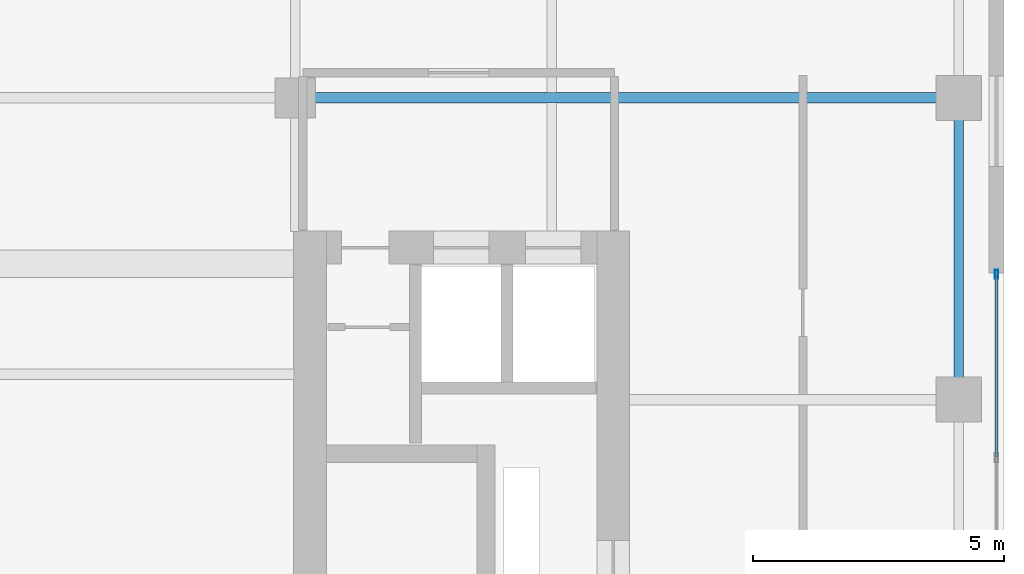
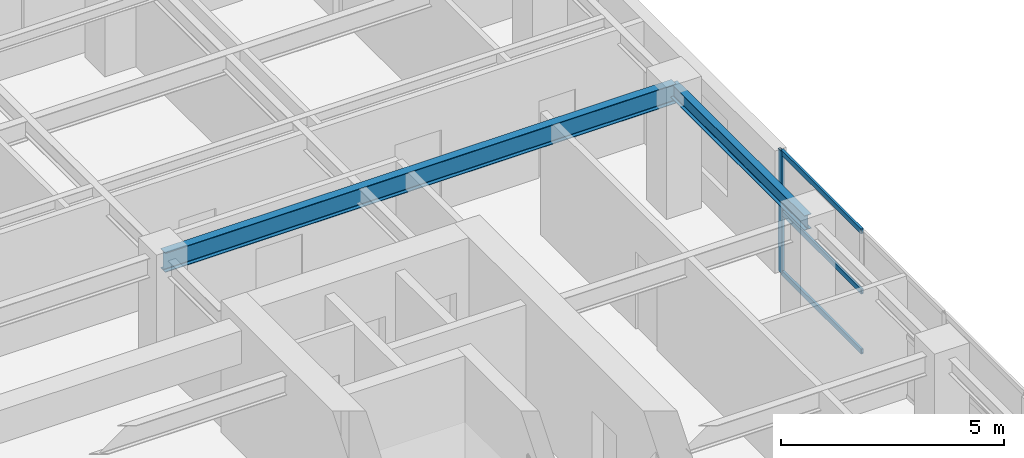
# One storey, part 7 of 14: 4 members, 2 beams, 1 element without a shape of its own.
"""IFC4 building model written with IfcOpenShell, lengths in metres."""

import ifcopenshell
import ifcopenshell.guid

model = None  # the IFC model being written
_history = None  # IfcOwnerHistory: only IFC2X3 demands one
_inside = {}  # id of a spatial element -> (the spatial element, [elements in it])
_under = {}  # id of a project, library or spatial element -> (it, [spatial elements below it])
_declared = {}  # id of a project -> (the project, [libraries it declares])
_typed = {}  # id of a type object -> (the type object, [elements of that type])
_made_of = {}  # id of a material, layer set ... -> (it, [elements and type objects made of it])


def new_model(schema):
    """Start an empty IFC model of exactly this schema.

    Asked for "IFC4X3", IfcOpenShell would pick the latest addendum, in which some entities
    have other attributes; the version numbers below select the first issue.
    IFC2X3 requires an IfcOwnerHistory on every rooted entity: one is made here for all.
    """
    global model, _history
    if schema == "IFC4X3":
        model = ifcopenshell.file(schema_version=(4, 3, 0, 0))
    else:
        model = ifcopenshell.file(schema=schema)
    _inside.clear()
    _under.clear()
    _declared.clear()
    _typed.clear()
    _made_of.clear()
    _history = None
    if model.schema == "IFC2X3":
        org = make("IfcOrganization", Name="unknown")
        user = make(
            "IfcPersonAndOrganization",
            ThePerson=make("IfcPerson", FamilyName="unknown"),
            TheOrganization=org,
        )
        app = make(
            "IfcApplication",
            ApplicationDeveloper=org,
            Version="unknown",
            ApplicationFullName="unknown",
            ApplicationIdentifier="unknown",
        )
        _history = make(
            "IfcOwnerHistory",
            OwningUser=user,
            OwningApplication=app,
            ChangeAction="ADDED",
            CreationDate=0,
        )
    return model


def make(cls, **values):
    """One entity of the class cls with the attributes given. An attribute that is None is left unset."""
    return model.create_entity(
        cls, **{name: value for name, value in values.items() if value is not None}
    )


def rooted(cls, **values):
    """An entity with a GlobalId (a new one), such as an element, a storey or a relation."""
    return make(cls, GlobalId=ifcopenshell.guid.new(), OwnerHistory=_history, **values)


def si_unit(unit_type, name, prefix=None):
    """IfcSIUnit, for example si_unit("LENGTHUNIT", "METRE", prefix="MILLI")."""
    return make("IfcSIUnit", UnitType=unit_type, Prefix=prefix, Name=name)


def assignment(units):
    """IfcUnitAssignment: the units of a project."""
    return None if units is None else make("IfcUnitAssignment", Units=units)


def point(xyz):
    """IfcCartesianPoint."""
    return None if xyz is None else make("IfcCartesianPoint", Coordinates=xyz)


def direction(xyz):
    """IfcDirection."""
    return None if xyz is None else make("IfcDirection", DirectionRatios=xyz)


def frame(location, z_axis=None, x_axis=None):
    """IfcAxis2Placement3D, a coordinate frame: its origin and axes. An axis left out is left unset."""
    return make(
        "IfcAxis2Placement3D",
        Location=point(location),
        Axis=direction(z_axis),
        RefDirection=direction(x_axis),
    )


def frame_2d(location, x_axis=None):
    """IfcAxis2Placement2D, a coordinate frame in the plane: its origin and x axis."""
    return make(
        "IfcAxis2Placement2D", Location=point(location), RefDirection=direction(x_axis)
    )


def origin():
    """The frame at (0, 0, 0) with its axes left unset."""
    return frame((0.0, 0.0, 0.0))


def origin_2d():
    """The frame at (0, 0) in the plane with its x axis left unset."""
    return frame_2d((0.0, 0.0))


def place(relative_to, where):
    """IfcLocalPlacement: puts the frame where relative to a parent placement (None: the world)."""
    return make(
        "IfcLocalPlacement", PlacementRelTo=relative_to, RelativePlacement=where
    )


def context(
    kind, dimensions, precision=None, world=None, true_north=None, identifier=None
):
    """IfcGeometricRepresentationContext, for example the 3D "Model" context."""
    return make(
        "IfcGeometricRepresentationContext",
        ContextIdentifier=identifier,
        ContextType=kind,
        CoordinateSpaceDimension=dimensions,
        Precision=precision,
        WorldCoordinateSystem=world,
        TrueNorth=true_north,
    )


def subcontext(parent, identifier, kind, view, scale=None):
    """IfcGeometricRepresentationSubContext, for example "Body" below "Model"."""
    return make(
        "IfcGeometricRepresentationSubContext",
        ContextIdentifier=identifier,
        ContextType=kind,
        ParentContext=parent,
        TargetScale=scale,
        TargetView=view,
    )


def project(units=None, contexts=None):
    """IfcProject with its units and contexts."""
    return rooted(
        "IfcProject",
        Name="project",
        RepresentationContexts=contexts,
        UnitsInContext=assignment(units),
    )


def spatial(cls, under=None, at=None, **own):
    """A site, building, storey or space (cls), placed at a placement, below another one or the project."""
    s = rooted(cls, ObjectPlacement=at, **own)
    if under is not None:
        _under.setdefault(under.id(), (under, []))[1].append(s)
    return s


def profile(cls, at=None, kind="AREA", **sizes):
    """A parametric profile (cls). Its sizes go by their IFC names, for example OverallWidth=200.0."""
    return make(cls, ProfileType=kind, Position=at, **sizes)


def hollow_rectangle(**sizes):
    """IfcRectangleHollowProfileDef."""
    return profile("IfcRectangleHollowProfileDef", **sizes)


def i_section(**sizes):
    """IfcIShapeProfileDef."""
    return profile("IfcIShapeProfileDef", **sizes)


def extrude(swept, where, along, depth):
    """IfcExtrudedAreaSolid: the profile swept, set in the frame where, extruded along a direction by depth."""
    return make(
        "IfcExtrudedAreaSolid",
        SweptArea=swept,
        Position=where,
        ExtrudedDirection=direction(along),
        Depth=depth,
    )


def shape(context_of_items, identifier, shape_type, items):
    """IfcShapeRepresentation: the items that make up one representation, for example the "Body"."""
    return make(
        "IfcShapeRepresentation",
        ContextOfItems=context_of_items,
        RepresentationIdentifier=identifier,
        RepresentationType=shape_type,
        Items=items,
    )


def source(mapping_origin, context_of_items, identifier, shape_type, items):
    """IfcRepresentationMap: a shape defined once, which mapped items show again and again."""
    return make(
        "IfcRepresentationMap",
        MappingOrigin=mapping_origin,
        MappedRepresentation=shape(context_of_items, identifier, shape_type, items),
    )


def transform(
    local_origin,
    x_axis=None,
    y_axis=None,
    z_axis=None,
    scale=None,
    scale2=None,
    scale3=None,
    uniform=True,
):
    """IfcCartesianTransformationOperator3D, or its non-uniform kind. x_axis, y_axis, z_axis: its Axis1, 2, 3."""
    if uniform:
        return make(
            "IfcCartesianTransformationOperator3D",
            Axis1=direction(x_axis),
            Axis2=direction(y_axis),
            LocalOrigin=point(local_origin),
            Scale=scale,
            Axis3=direction(z_axis),
        )
    return make(
        "IfcCartesianTransformationOperator3DnonUniform",
        Axis1=direction(x_axis),
        Axis2=direction(y_axis),
        LocalOrigin=point(local_origin),
        Scale=scale,
        Axis3=direction(z_axis),
        Scale2=scale2,
        Scale3=scale3,
    )


def mapped(mapping_source, mapping_target):
    """IfcMappedItem: shows the shape of a source again, moved by a transform."""
    return make(
        "IfcMappedItem", MappingSource=mapping_source, MappingTarget=mapping_target
    )


def material(Name=None, Category=None):
    """IfcMaterial."""
    return make("IfcMaterial", Name=Name, Category=Category)


def layer(
    of_material, thickness, ventilated=None, Name=None, Category=None, Priority=None
):
    """IfcMaterialLayer: one layer of a wall or slab, of a material (None: an air gap)."""
    return make(
        "IfcMaterialLayer",
        Material=of_material,
        LayerThickness=thickness,
        IsVentilated=ventilated,
        Name=Name,
        Category=Category,
        Priority=Priority,
    )


def layer_set(layers, Name=None):
    """IfcMaterialLayerSet."""
    return make("IfcMaterialLayerSet", MaterialLayers=layers, LayerSetName=Name)


def material_profile(
    of_material, cross_section, Name=None, Category=None, Priority=None
):
    """IfcMaterialProfile: a cross section and its material."""
    return make(
        "IfcMaterialProfile",
        Name=Name,
        Material=of_material,
        Profile=cross_section,
        Priority=Priority,
        Category=Category,
    )


def profile_set(profiles, Name=None, composite=None):
    """IfcMaterialProfileSet."""
    return make(
        "IfcMaterialProfileSet",
        Name=Name,
        MaterialProfiles=profiles,
        CompositeProfile=composite,
    )


def made_of(thing, what):
    """Note that an element or type object is made of a material, layer set ...; save() writes the relation."""
    if what is not None:
        _made_of.setdefault(what.id(), (what, []))[1].append(thing)
    return thing


def type_object(cls, material=None, **own):
    """A type object (cls), such as IfcWallType, which elements share."""
    return made_of(rooted(cls, **own), material)


def element(
    cls,
    number,
    at=None,
    inside=None,
    cuts=None,
    type_object=None,
    material=None,
    context=None,
    identifier="Body",
    shape_type=None,
    held_by="IfcProductDefinitionShape",
    body=None,
    shapes=None,
    **own,
):
    """One element of the class cls, such as IfcWall. Its Tag is "e" and its number.

    at: its placement. inside: the storey or other place that contains it. cuts: it is an
    opening in that element (IfcRelVoidsElement). A single representation is given by context,
    identifier, shape_type and body (its items); several are given by shapes. held_by: the class
    of the entity that holds the representations. save() writes the other relations.
    """
    e = rooted(cls, Tag="e%d" % number, ObjectPlacement=at, **own)
    if body is not None:
        shapes = [shape(context, identifier, shape_type, body)]
    if shapes is not None:
        e.Representation = make(held_by, Representations=shapes)
    if inside is not None:
        _inside.setdefault(inside.id(), (inside, []))[1].append(e)
    if cuts is not None:
        rooted(
            "IfcRelVoidsElement", RelatingBuildingElement=cuts, RelatedOpeningElement=e
        )
    if type_object is not None:
        _typed.setdefault(type_object.id(), (type_object, []))[1].append(e)
    return made_of(e, material)


def aggregate(whole, parts):
    """IfcRelAggregates: a whole, such as a stair, and the parts it consists of."""
    return rooted("IfcRelAggregates", RelatingObject=whole, RelatedObjects=parts)


def save(model, path):
    """Write the relations noted so far, then the file.

    IfcRelAggregates (storeys below a building ...), IfcRelContainedInSpatialStructure (elements
    in a storey), IfcRelDefinesByType, IfcRelAssociatesMaterial and IfcRelDeclares: one each for
    every whole, place, type object, material and project.
    """
    for whole, parts in _under.values():
        aggregate(whole, parts)
    for where, things in _inside.values():
        rooted(
            "IfcRelContainedInSpatialStructure",
            RelatedElements=things,
            RelatingStructure=where,
        )
    for kind, things in _typed.values():
        rooted("IfcRelDefinesByType", RelatedObjects=things, RelatingType=kind)
    for what, things in _made_of.values():
        rooted("IfcRelAssociatesMaterial", RelatedObjects=things, RelatingMaterial=what)
    for by, libraries in _declared.values():
        rooted("IfcRelDeclares", RelatingContext=by, RelatedDefinitions=libraries)
    model.write(path)


model = new_model("IFC4")

# Units and contexts
model_context = context("Model", 3, precision=1e-05, world=origin(), true_north=direction((0.0, 1.0)))
body_context = subcontext(model_context, "Body", "Model", "MODEL_VIEW")
ifc_project = project(units=[si_unit("LENGTHUNIT", "METRE"), si_unit("AREAUNIT", "SQUARE_METRE"), si_unit("VOLUMEUNIT", "CUBIC_METRE"), si_unit("PLANEANGLEUNIT", "RADIAN"), si_unit("MASSUNIT", "GRAM", prefix="KILO")], contexts=[model_context])

# Site, building, storey
site_placement = place(None, origin())
site = spatial("IfcSite", under=ifc_project, at=site_placement, CompositionType="ELEMENT")
building_placement = place(site_placement, origin())
building = spatial("IfcBuilding", under=site, at=building_placement, Name="Khoralis Quay Care Tower", CompositionType="ELEMENT")
storey_placement = place(building_placement, frame((0.0, 0.0, 177.300048828125)))
storey = spatial("IfcBuildingStorey", under=building, at=storey_placement, Name="L46", CompositionType="ELEMENT", Elevation=177.300048828125)

# Beams
ifc_material_1 = material(Name="Steel S355", Category="steel")
ifc_material_profile_1 = material_profile(ifc_material_1, i_section(OverallWidth=0.179931640625, OverallDepth=0.39990234375, WebThickness=0.008544921875, FlangeThickness=0.013427734375, FilletRadius=0.02099609375, at=origin_2d()), Name="Steel S355")
ifc_profile_set_1 = profile_set([ifc_material_profile_1], Name="Steel S355")
beam_type_1 = type_object("IfcBeamType", Name="BM-IPE400", PredefinedType="SPANDREL", material=ifc_profile_set_1)
shared_shape_1 = source(origin(), body_context, "Body", "SweptSolid", [
    extrude(i_section(OverallWidth=0.179931640625, OverallDepth=0.39990234375, WebThickness=0.008544921875, FlangeThickness=0.013427734375, FilletRadius=0.02099609375, at=origin_2d()), origin(), (0.0, 0.0, 1.0), 6.0),
])
beam_1_placement = place(storey_placement, frame((44.10009765625, 24.0, 3.139892578125), z_axis=(0.0, 1.0, 0.0), x_axis=(-1.0, 0.0, 0.0)))
element("IfcBeam", 1, at=beam_1_placement, inside=storey, type_object=beam_type_1, Name="BM-TSP-L46-17", PredefinedType="SPANDREL", context=body_context, shape_type="MappedRepresentation", body=[
    mapped(shared_shape_1, transform((0.0, 0.0, 0.0), scale=1.0)),
])
ifc_material_profile_2 = material_profile(ifc_material_1, i_section(OverallWidth=0.208984375, OverallDepth=0.532958984375, WebThickness=0.01025390625, FlangeThickness=0.015625, FilletRadius=0.01611328125, at=origin_2d()), Name="Steel S355")
ifc_profile_set_2 = profile_set([ifc_material_profile_2], Name="Steel S355")
beam_type_2 = type_object("IfcBeamType", Name="BM-W530X92", PredefinedType="BEAM", material=ifc_profile_set_2)
shared_shape_2 = source(origin(), body_context, "Body", "SweptSolid", [
    extrude(i_section(OverallWidth=0.208984375, OverallDepth=0.532958984375, WebThickness=0.01025390625, FlangeThickness=0.015625, FilletRadius=0.01611328125, at=origin_2d()), origin(), (0.0, 0.0, 1.0), 13.2001953125),
])
beam_2_placement = place(storey_placement, frame((30.89990234375, 30.0, 3.073486328125), z_axis=(1.0, 0.0, 0.0), x_axis=(0.0, 1.0, 0.0)))
element("IfcBeam", 2, at=beam_2_placement, inside=storey, type_object=beam_type_2, Name="BM-TGXE-L46-300", PredefinedType="BEAM", context=body_context, shape_type="MappedRepresentation", body=[
    mapped(shared_shape_2, transform((0.0, 0.0, 0.0), scale=1.0)),
])

# Curtain wall, members
ifc_material_2 = material(Name="Pale anodised aluminium", Category="aluminium")
ifc_layer = layer(ifc_material_2, 0.159912109375)
ifc_layer_set = layer_set([ifc_layer], Name="Pale anodised aluminium")
curtain_wall_type = type_object("IfcCurtainWallType", Name="CW-SYS-Z3", PredefinedType="NOTDEFINED", material=ifc_layer_set)
curtain_wall_placement = place(storey_placement, origin())
curtain_wall = element("IfcCurtainWall", 3, at=curtain_wall_placement, inside=storey, type_object=curtain_wall_type, Name="L46 Unitised Curtain Wall CW-L46-P1-E5", PredefinedType="NOTDEFINED")
ifc_material_profile_3 = material_profile(ifc_material_2, hollow_rectangle(XDim=0.06494140625, YDim=0.179931640625, WallThickness=0.00390625, at=origin_2d()), Name="Pale anodised aluminium")
ifc_profile_set_3 = profile_set([ifc_material_profile_3], Name="Pale anodised aluminium")
member_type_1 = type_object("IfcMemberType", Name="CW-MUL-180", PredefinedType="MULLION", material=ifc_profile_set_3)
shared_shape_3 = source(origin(), body_context, "Body", "SweptSolid", [
    extrude(hollow_rectangle(XDim=0.06494140625, YDim=0.179931640625, WallThickness=0.00390625, at=origin_2d()), origin(), (0.0, 0.0, 1.0), 3.33984375),
])
member_1_placement = place(storey_placement, frame((44.85009765625, 26.489990234375, 0.0), z_axis=(0.0, 0.0, 1.0), x_axis=(-1.0, 0.0, 0.0)))
member_1 = element("IfcMember", 4, at=member_1_placement, type_object=member_type_1, Name="CW3 mullion 4", PredefinedType="MULLION", context=body_context, shape_type="MappedRepresentation", body=[
    mapped(shared_shape_3, transform((0.0, 0.0, 0.0), scale=1.0)),
])
ifc_material_profile_4 = material_profile(ifc_material_2, hollow_rectangle(XDim=0.06005859375, YDim=0.139892578125, WallThickness=0.00390625, at=origin_2d()), Name="Pale anodised aluminium")
ifc_profile_set_4 = profile_set([ifc_material_profile_4], Name="Pale anodised aluminium")
member_type_2 = type_object("IfcMemberType", Name="CW-TRN-140", PredefinedType="USERDEFINED", material=ifc_profile_set_4)
shared_shape_4 = source(origin(), body_context, "Body", "SweptSolid", [
    extrude(hollow_rectangle(XDim=0.06005859375, YDim=0.139892578125, WallThickness=0.00390625, at=origin_2d()), origin(), (0.0, 0.0, 1.0), 3.58984375),
])
member_2_placement = place(storey_placement, frame((44.85009765625, 22.8701171875, 0.030029296875), z_axis=(0.0, 1.0, 0.0), x_axis=(-1.0, 0.0, 0.0)))
member_2 = element("IfcMember", 5, at=member_2_placement, type_object=member_type_2, Name="CW3 transom 3.1", ObjectType="TRANSOM", PredefinedType="USERDEFINED", context=body_context, shape_type="MappedRepresentation", body=[
    mapped(shared_shape_4, transform((0.0, 0.0, 0.0), scale=1.0)),
])
member_3_placement = place(storey_placement, frame((44.85009765625, 22.8701171875, 1.669921875), z_axis=(0.0, 1.0, 0.0), x_axis=(-1.0, 0.0, 0.0)))
member_3 = element("IfcMember", 6, at=member_3_placement, type_object=member_type_2, Name="CW3 transom 3.2", ObjectType="TRANSOM", PredefinedType="USERDEFINED", context=body_context, shape_type="MappedRepresentation", body=[
    mapped(shared_shape_4, transform((0.0, 0.0, 0.0), scale=1.0)),
])
member_4_placement = place(storey_placement, frame((44.85009765625, 22.8701171875, 3.31005859375), z_axis=(0.0, 1.0, 0.0), x_axis=(-1.0, 0.0, 0.0)))
member_4 = element("IfcMember", 7, at=member_4_placement, type_object=member_type_2, Name="CW3 transom 3.3", ObjectType="TRANSOM", PredefinedType="USERDEFINED", context=body_context, shape_type="MappedRepresentation", body=[
    mapped(shared_shape_4, transform((0.0, 0.0, 0.0), scale=1.0)),
])
aggregate(curtain_wall, [member_1, member_2, member_3, member_4])

save(model, "model.ifc")
